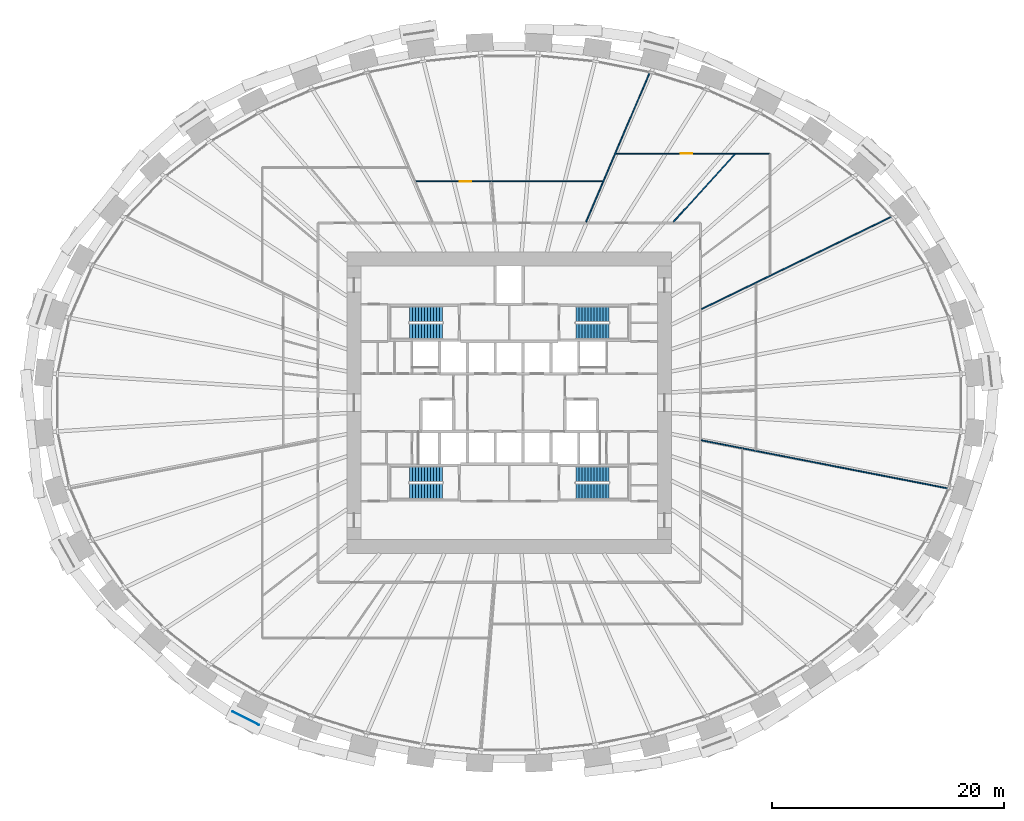
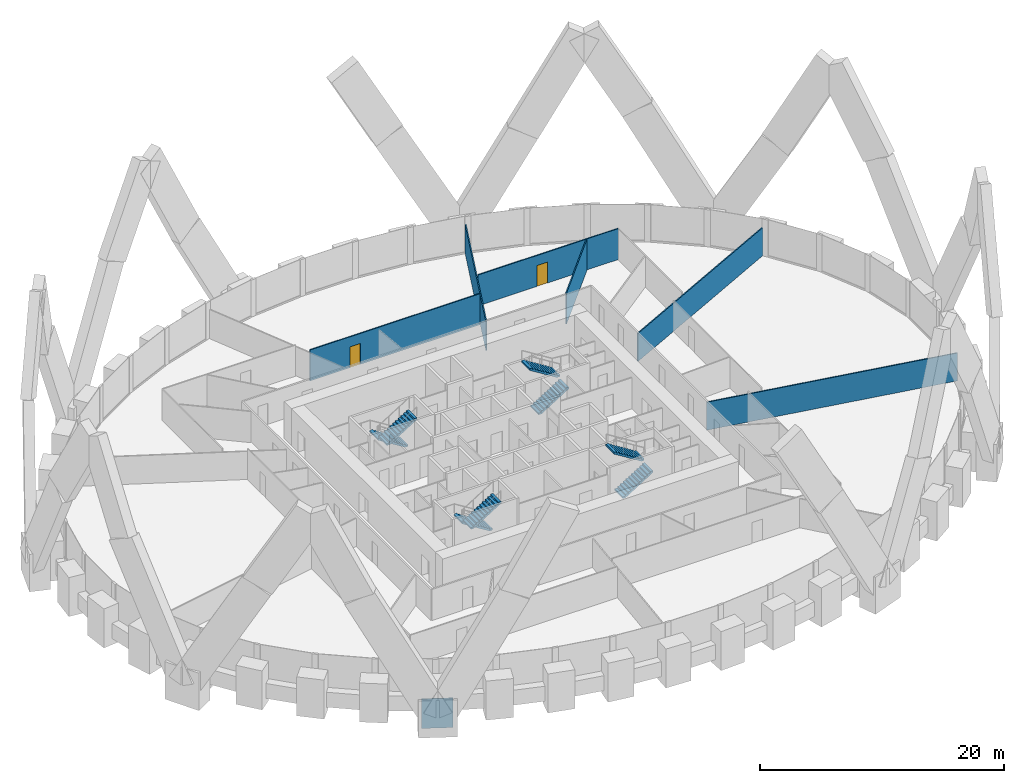
# One storey, part 11 of 13: 8 stair flights, 6 walls, 2 doors, 1 discrete accessory, 2 openings, 4 elements without a shape of their own.
"""IFC4 building model written with IfcOpenShell, lengths in metres."""

from ifc_helpers import new_model, si_unit, direction, frame, frame_2d, origin, origin_2d, place, context, subcontext, project, spatial, polyline, rectangle, outline, extrude, source, transform, mapped, material, layer, layer_set, type_object, element, fill, aggregate, save


model = new_model("IFC4")

# Units and contexts
model_context = context("Model", 3, precision=1e-05, world=origin(), true_north=direction((0.0, 1.0)))
body_context = subcontext(model_context, "Body", "Model", "MODEL_VIEW")
ifc_project = project(units=[si_unit("LENGTHUNIT", "METRE"), si_unit("AREAUNIT", "SQUARE_METRE"), si_unit("VOLUMEUNIT", "CUBIC_METRE"), si_unit("PLANEANGLEUNIT", "RADIAN"), si_unit("MASSUNIT", "GRAM", prefix="KILO")], contexts=[model_context])

# Site, building, storey
site_placement = place(None, origin())
site = spatial("IfcSite", under=ifc_project, at=site_placement, CompositionType="ELEMENT")
building_placement = place(site_placement, origin())
building = spatial("IfcBuilding", under=site, at=building_placement, Name="Embergate Tower", CompositionType="ELEMENT")
storey_placement = place(building_placement, frame((0.0, 0.0, 105.5)))
storey = spatial("IfcBuildingStorey", under=building, at=storey_placement, Name="L22", CompositionType="ELEMENT", Elevation=105.5)

# Walls
ifc_material_1 = material(Name="Partition dry-lined 100")
ifc_layer = layer(ifc_material_1, 0.10009765625)
ifc_layer_set = layer_set([ifc_layer], Name="Partition dry-lined 100")
wall_type = type_object("IfcWallType", Name="Partition dry-lined 100", PredefinedType="PARTITIONING", material=ifc_layer_set)
shared_shape_1 = source(origin(), body_context, "Body", "SweptSolid", [
    extrude(rectangle(XDim=21.7158203125, YDim=0.10009765625, at=frame_2d((10.85791015625, 0.0))), origin(), (0.0, 0.0, 1.0), 2.800048828125),
])
wall_1_placement = place(storey_placement, frame((37.89794921875, -7.403076171875, 0.0), z_axis=(0.0, 0.0, 1.0), x_axis=(-0.981452018893, 0.191707940917, 0.0)))
element("IfcWall", 1, at=wall_1_placement, inside=storey, type_object=wall_type, Name="IP-1 wall", PredefinedType="PARTITIONING", context=body_context, shape_type="MappedRepresentation", body=[
    mapped(shared_shape_1, transform((0.0, 0.0, 0.0))),
])
shared_shape_2 = source(origin(), body_context, "Body", "SweptSolid", [
    extrude(rectangle(XDim=18.260986328125, YDim=0.10009765625, at=frame_2d((9.13037109375, 0.0))), origin(), (0.0, 0.0, 1.0), 2.800048828125),
])
wall_2_placement = place(storey_placement, frame((33.01611328125, 16.070068359375, 0.0), z_axis=(0.0, 0.0, 1.0), x_axis=(-0.89913869284, -0.437663810519, 0.0)))
element("IfcWall", 2, at=wall_2_placement, inside=storey, type_object=wall_type, Name="IP-1 wall", PredefinedType="PARTITIONING", context=body_context, shape_type="MappedRepresentation", body=[
    mapped(shared_shape_2, transform((0.0, 0.0, 0.0))),
])
shared_shape_3 = source(origin(), body_context, "Body", "SweptSolid", [
    extrude(rectangle(XDim=7.845947265625, YDim=0.10009765625, at=frame_2d((3.9228515625, 0.0))), origin(), (0.0, 0.0, 1.0), 3.10009765625),
])
wall_3_placement = place(storey_placement, frame((14.178955078125, 15.60888671875, 0.0), z_axis=(0.0, 0.0, 1.0), x_axis=(0.672457484785, 0.740135751844, 0.0)))
element("IfcWall", 3, at=wall_3_placement, inside=storey, type_object=wall_type, Name="IP-1 wall", PredefinedType="PARTITIONING", context=body_context, shape_type="MappedRepresentation", body=[
    mapped(shared_shape_3, transform((0.0, 0.0, 0.0))),
])

# Wall, opening, door
shared_shape_4 = source(origin(), body_context, "Body", "SweptSolid", [
    extrude(rectangle(XDim=13.27490234375, YDim=0.10009765625, at=frame_2d((6.637451171875, 0.0))), origin(), (0.0, 0.0, 1.0), 3.10009765625),
])
wall_4_placement = place(storey_placement, frame((9.22509765625, 21.5, 0.0), z_axis=(0.0, 0.0, 1.0), x_axis=(1.0, 0.0, 0.0)))
wall_4 = element("IfcWall", 4, at=wall_4_placement, inside=storey, type_object=wall_type, Name="IP-1 wall", PredefinedType="PARTITIONING", context=body_context, shape_type="MappedRepresentation", body=[
    mapped(shared_shape_4, transform((0.0, 0.0, 0.0))),
])
shared_shape_5 = source(origin(), body_context, "Body", "SweptSolid", [
    extrude(rectangle(XDim=1.0, YDim=2.10009765625, at=frame_2d((0.5, 1.050048828125))), frame((0.0, 0.06005859375, 0.0), z_axis=(0.0, -1.0, 0.0), x_axis=(1.0, 0.0, 0.0)), (0.0, 0.0, 1.0), 0.1201171875),
])
opening_1_placement = place(wall_4_placement, frame((5.581298828125, 0.0, 0.0)))
opening_1 = element("IfcOpeningElement", 5, at=opening_1_placement, cuts=wall_4, Name="Opening ID-2", PredefinedType="OPENING", context=body_context, shape_type="MappedRepresentation", body=[
    mapped(shared_shape_5, transform((0.0, 0.0, 0.0))),
])
ifc_material_2 = material(Name="Interior door 1000")
door_type = type_object("IfcDoorType", Name="Interior door 1000", OperationType="SINGLE_SWING_LEFT", PredefinedType="DOOR", material=ifc_material_2)
shared_shape_6 = source(origin(), body_context, "Body", "SweptSolid", [
    extrude(rectangle(XDim=1.0, YDim=2.10009765625, at=frame_2d((0.5, 1.050048828125))), frame((0.0, 0.02490234375, 0.0), z_axis=(0.0, -1.0, 0.0), x_axis=(1.0, 0.0, 0.0)), (0.0, 0.0, 1.0), 0.050048828125),
])
door_1_placement = place(opening_1_placement, origin())
door_1 = element("IfcDoor", 6, at=door_1_placement, inside=storey, type_object=door_type, Name="ID-2 door", OperationType="SINGLE_SWING_RIGHT", OverallHeight=2.10009765625, OverallWidth=1.0, PredefinedType="DOOR", context=body_context, shape_type="MappedRepresentation", body=[
    mapped(shared_shape_6, transform((0.0, 0.0, 0.0))),
])
fill(opening_1, door_1)

# Wall
shared_shape_7 = source(origin(), body_context, "Body", "SweptSolid", [
    extrude(rectangle(XDim=14.038818359375, YDim=0.10009765625, at=frame_2d((7.01953125, 0.0))), origin(), (0.0, 0.0, 1.0), 2.89990234375),
])
wall_5_placement = place(storey_placement, frame((6.635986328125, 15.594970703125, 0.0), z_axis=(0.0, 0.0, 1.0), x_axis=(0.391558923428, 0.920153035904, 0.0)))
element("IfcWall", 7, at=wall_5_placement, inside=storey, type_object=wall_type, Name="IP-1 wall", PredefinedType="PARTITIONING", context=body_context, shape_type="MappedRepresentation", body=[
    mapped(shared_shape_7, transform((0.0, 0.0, 0.0))),
])

# Wall, opening, door
shared_shape_8 = source(origin(), body_context, "Body", "SweptSolid", [
    extrude(rectangle(XDim=16.10400390625, YDim=0.10009765625, at=frame_2d((8.052001953125, 0.0))), origin(), (0.0, 0.0, 1.0), 3.10009765625),
])
wall_6_placement = place(storey_placement, frame((-8.052001953125, 19.10009765625, 0.0), z_axis=(0.0, 0.0, 1.0), x_axis=(1.0, 0.0, 0.0)))
wall_6 = element("IfcWall", 8, at=wall_6_placement, inside=storey, type_object=wall_type, Name="IP-1 wall", PredefinedType="PARTITIONING", context=body_context, shape_type="MappedRepresentation", body=[
    mapped(shared_shape_8, transform((0.0, 0.0, 0.0))),
])
opening_2_placement = place(wall_6_placement, frame((3.76513671875, 0.0, 0.0)))
opening_2 = element("IfcOpeningElement", 9, at=opening_2_placement, cuts=wall_6, Name="Opening ID-2", PredefinedType="OPENING", context=body_context, shape_type="MappedRepresentation", body=[
    mapped(shared_shape_5, transform((0.0, 0.0, 0.0))),
])
door_2_placement = place(opening_2_placement, origin())
door_2 = element("IfcDoor", 10, at=door_2_placement, inside=storey, type_object=door_type, Name="ID-2 door", OperationType="SINGLE_SWING_RIGHT", OverallHeight=2.10009765625, OverallWidth=1.0, PredefinedType="DOOR", context=body_context, shape_type="MappedRepresentation", body=[
    mapped(shared_shape_6, transform((0.0, 0.0, 0.0))),
])
fill(opening_2, door_2)

# Stair, stair flights
ifc_material_3 = material(Name="Exit stair")
stair_type = type_object("IfcStairType", Name="Exit stair", PredefinedType="HALF_TURN_STAIR", material=ifc_material_3)
stair_1_placement = place(storey_placement, origin())
stair_1 = element("IfcStair", 11, at=stair_1_placement, inside=storey, type_object=stair_type, Name="L22 Exit stair 1", PredefinedType="HALF_TURN_STAIR")
ifc_material_4 = material(Name="Concrete C40", Category="concrete")
stair_flight_type = type_object("IfcStairFlightType", Name="Stair flight reinforced concrete", PredefinedType="STRAIGHT", material=ifc_material_4)
shared_shape_9 = source(origin(), body_context, "Body", "SweptSolid", [
    extrude(outline(polyline([(0.0, 0.0), (0.0, 0.16259765625), (0.260009765625, 0.16259765625), (0.260009765625, 0.324951171875), (0.52001953125, 0.324951171875), (0.52001953125, 0.487548828125), (0.780029296875, 0.487548828125), (0.780029296875, 0.64990234375), (1.0400390625, 0.64990234375), (1.0400390625, 0.8125), (1.300048828125, 0.8125), (1.300048828125, 0.97509765625), (1.56005859375, 0.97509765625), (1.56005859375, 1.137451171875), (1.820068359375, 1.137451171875), (1.820068359375, 1.300048828125), (2.080078125, 1.300048828125), (2.080078125, 1.46240234375), (2.340087890625, 1.46240234375), (2.340087890625, 1.625), (2.60009765625, 1.625), (2.60009765625, 1.78759765625), (2.860107421875, 1.78759765625), (2.860107421875, 1.949951171875), (2.860107421875, 1.61083984375), (0.28271484375, 0.0), (0.0, 0.0)])), frame((0.0, 0.675048828125, 0.0), z_axis=(0.0, -1.0, 0.0), x_axis=(1.0, 0.0, 0.0)), (0.0, 0.0, 1.0), 1.35009765625),
])
stair_flight_1_placement = place(storey_placement, frame((-5.75, 7.625, 0.0), z_axis=(0.0, 0.0, 1.0), x_axis=(-1.0, 0.0, 0.0)))
stair_flight_1 = element("IfcStairFlight", 12, at=stair_flight_1_placement, type_object=stair_flight_type, Name="ST1 flight 1", NumberOfRisers=12, NumberOfTreads=11, PredefinedType="STRAIGHT", RiserHeight=0.1625, TreadLength=0.26, context=body_context, shape_type="MappedRepresentation", body=[
    mapped(shared_shape_9, transform((0.0, 0.0, 0.0))),
])
stair_flight_2_placement = place(storey_placement, frame((-8.610107421875, 6.175048828125, 1.949951171875), z_axis=(0.0, 0.0, 1.0), x_axis=(1.0, 0.0, 0.0)))
stair_flight_2 = element("IfcStairFlight", 13, at=stair_flight_2_placement, type_object=stair_flight_type, Name="ST1 flight 2", NumberOfRisers=12, NumberOfTreads=11, PredefinedType="STRAIGHT", RiserHeight=0.1625, TreadLength=0.26, context=body_context, shape_type="MappedRepresentation", body=[
    mapped(shared_shape_9, transform((0.0, 0.0, 0.0))),
])
aggregate(stair_1, [stair_flight_1, stair_flight_2])

stair_2_placement = place(storey_placement, origin())
stair_2 = element("IfcStair", 14, at=stair_2_placement, inside=storey, type_object=stair_type, Name="L22 Exit stair 2", PredefinedType="HALF_TURN_STAIR")
stair_flight_3_placement = place(storey_placement, frame((5.75, 6.175048828125, 0.0), z_axis=(0.0, 0.0, 1.0), x_axis=(1.0, 0.0, 0.0)))
stair_flight_3 = element("IfcStairFlight", 15, at=stair_flight_3_placement, type_object=stair_flight_type, Name="ST2 flight 1", NumberOfRisers=12, NumberOfTreads=11, PredefinedType="STRAIGHT", RiserHeight=0.1625, TreadLength=0.26, context=body_context, shape_type="MappedRepresentation", body=[
    mapped(shared_shape_9, transform((0.0, 0.0, 0.0))),
])
stair_flight_4_placement = place(storey_placement, frame((8.610107421875, 7.625, 1.949951171875), z_axis=(0.0, 0.0, 1.0), x_axis=(-1.0, 0.0, 0.0)))
stair_flight_4 = element("IfcStairFlight", 16, at=stair_flight_4_placement, type_object=stair_flight_type, Name="ST2 flight 2", NumberOfRisers=12, NumberOfTreads=11, PredefinedType="STRAIGHT", RiserHeight=0.1625, TreadLength=0.26, context=body_context, shape_type="MappedRepresentation", body=[
    mapped(shared_shape_9, transform((0.0, 0.0, 0.0))),
])
aggregate(stair_2, [stair_flight_3, stair_flight_4])

stair_3_placement = place(storey_placement, origin())
stair_3 = element("IfcStair", 17, at=stair_3_placement, inside=storey, type_object=stair_type, Name="L22 Exit stair 3", PredefinedType="HALF_TURN_STAIR")
stair_flight_5_placement = place(storey_placement, frame((-5.75, -6.175048828125, 0.0), z_axis=(0.0, 0.0, 1.0), x_axis=(-1.0, 0.0, 0.0)))
stair_flight_5 = element("IfcStairFlight", 18, at=stair_flight_5_placement, type_object=stair_flight_type, Name="ST3 flight 1", NumberOfRisers=12, NumberOfTreads=11, PredefinedType="STRAIGHT", RiserHeight=0.1625, TreadLength=0.26, context=body_context, shape_type="MappedRepresentation", body=[
    mapped(shared_shape_9, transform((0.0, 0.0, 0.0))),
])
stair_flight_6_placement = place(storey_placement, frame((-8.610107421875, -7.625, 1.949951171875), z_axis=(0.0, 0.0, 1.0), x_axis=(1.0, 0.0, 0.0)))
stair_flight_6 = element("IfcStairFlight", 19, at=stair_flight_6_placement, type_object=stair_flight_type, Name="ST3 flight 2", NumberOfRisers=12, NumberOfTreads=11, PredefinedType="STRAIGHT", RiserHeight=0.1625, TreadLength=0.26, context=body_context, shape_type="MappedRepresentation", body=[
    mapped(shared_shape_9, transform((0.0, 0.0, 0.0))),
])
aggregate(stair_3, [stair_flight_5, stair_flight_6])

stair_4_placement = place(storey_placement, origin())
stair_4 = element("IfcStair", 20, at=stair_4_placement, inside=storey, type_object=stair_type, Name="L22 Exit stair 4", PredefinedType="HALF_TURN_STAIR")
stair_flight_7_placement = place(storey_placement, frame((5.75, -7.625, 0.0), z_axis=(0.0, 0.0, 1.0), x_axis=(1.0, 0.0, 0.0)))
stair_flight_7 = element("IfcStairFlight", 21, at=stair_flight_7_placement, type_object=stair_flight_type, Name="ST4 flight 1", NumberOfRisers=12, NumberOfTreads=11, PredefinedType="STRAIGHT", RiserHeight=0.1625, TreadLength=0.26, context=body_context, shape_type="MappedRepresentation", body=[
    mapped(shared_shape_9, transform((0.0, 0.0, 0.0))),
])
stair_flight_8_placement = place(storey_placement, frame((8.610107421875, -6.175048828125, 1.949951171875), z_axis=(0.0, 0.0, 1.0), x_axis=(-1.0, 0.0, 0.0)))
stair_flight_8 = element("IfcStairFlight", 22, at=stair_flight_8_placement, type_object=stair_flight_type, Name="ST4 flight 2", NumberOfRisers=12, NumberOfTreads=11, PredefinedType="STRAIGHT", RiserHeight=0.1625, TreadLength=0.26, context=body_context, shape_type="MappedRepresentation", body=[
    mapped(shared_shape_9, transform((0.0, 0.0, 0.0))),
])
aggregate(stair_4, [stair_flight_7, stair_flight_8])

# Discrete accessory
ifc_material_5 = material(Name="Steel Q355D plate", Category="steel")
discrete_accessory_type = type_object("IfcDiscreteAccessoryType", Name="Lattice node plate", PredefinedType="USERDEFINED", material=ifc_material_5)
shared_shape_10 = source(origin(), body_context, "Body", "SweptSolid", [
    extrude(rectangle(XDim=2.56005859375, YDim=0.050048828125, at=origin_2d()), origin(), (0.0, 0.0, 1.0), 2.9599609375),
])
discrete_accessory_placement = place(storey_placement, frame((-22.72998046875, -27.23388671875, -1.47998046875), z_axis=(0.0, 0.0, 1.0), x_axis=(0.891505174089, -0.453010512651, 0.0)))
element("IfcDiscreteAccessory", 23, at=discrete_accessory_placement, inside=storey, type_object=discrete_accessory_type, Name="Node plate", ObjectType="BRACKET", PredefinedType="USERDEFINED", context=body_context, shape_type="MappedRepresentation", body=[
    mapped(shared_shape_10, transform((0.0, 0.0, 0.0))),
])

save(model, "model.ifc")
